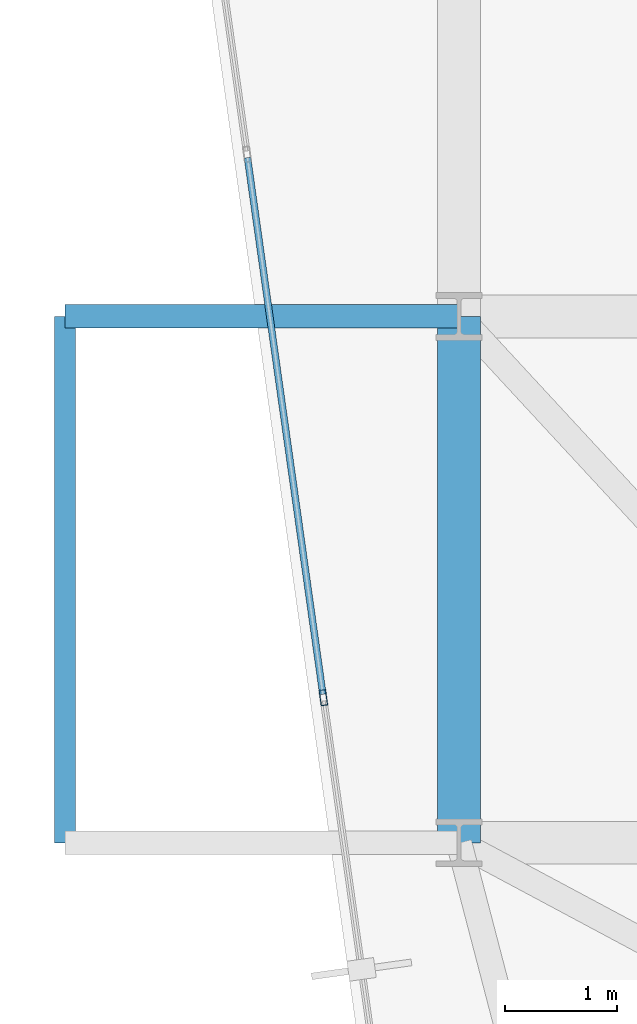
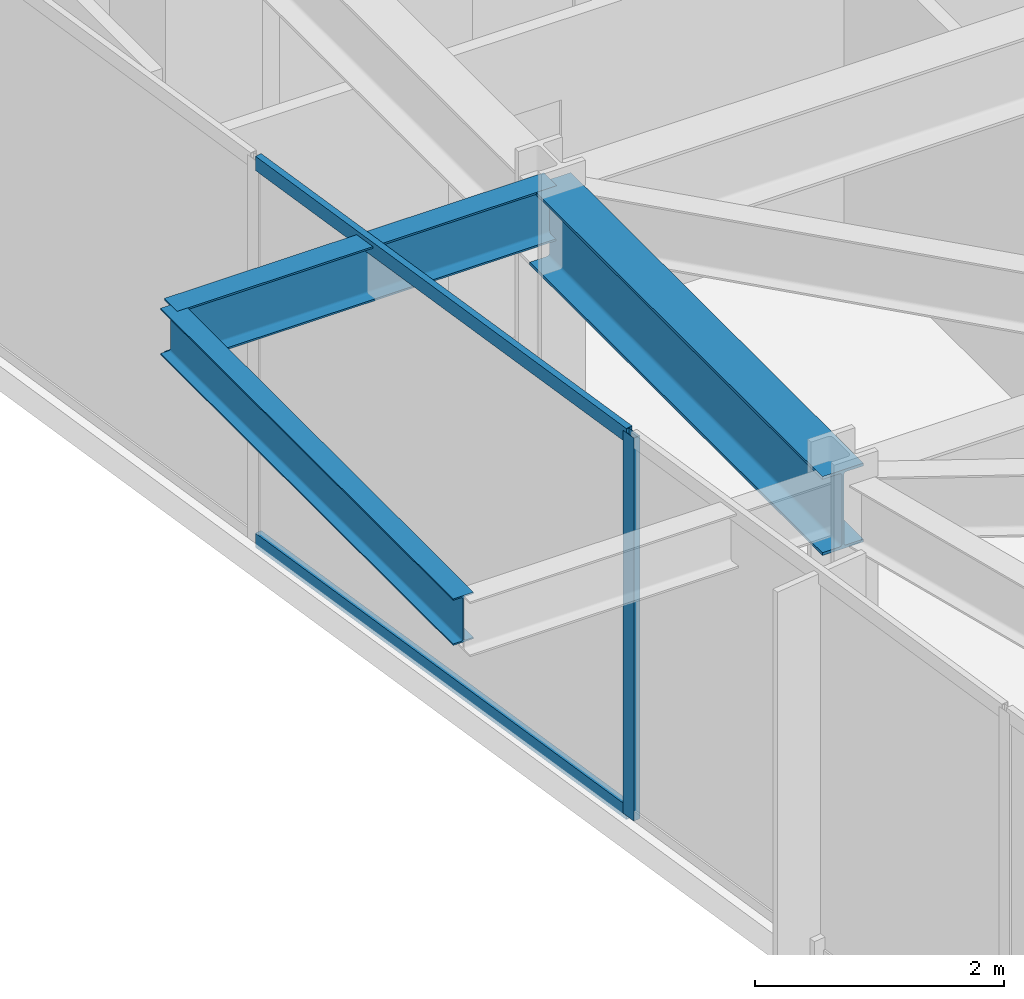
# One storey, part 9 of 27: 3 beams, 3 members, 1 element without a shape of its own.
"""IFC4 building model written with IfcOpenShell, lengths in metres."""

from ifc_helpers import new_model, si_unit, direction, frame, origin, origin_2d, place, context, subcontext, project, spatial, hollow_rectangle, i_section, extrude, material, layer, layer_set, material_profile, profile_set, type_object, element, aggregate, save


model = new_model("IFC4")

# Units and contexts
model_context = context("Model", 3, precision=1e-05, world=origin(), true_north=direction((0.0, 1.0)))
body_context = subcontext(model_context, "Body", "Model", "MODEL_VIEW")
ifc_project = project(units=[si_unit("LENGTHUNIT", "METRE"), si_unit("AREAUNIT", "SQUARE_METRE"), si_unit("VOLUMEUNIT", "CUBIC_METRE"), si_unit("PLANEANGLEUNIT", "RADIAN"), si_unit("MASSUNIT", "GRAM", prefix="KILO")], contexts=[model_context])

# Site, building, storey
site_placement = place(None, origin())
site = spatial("IfcSite", under=ifc_project, at=site_placement, CompositionType="ELEMENT")
building_placement = place(site_placement, origin())
building = spatial("IfcBuilding", under=site, at=building_placement, Name="Kravanh Interchange Tower", CompositionType="ELEMENT")
storey_placement = place(building_placement, frame((0.0, 0.0, 164.5)))
storey = spatial("IfcBuildingStorey", under=building, at=storey_placement, Name="L39", CompositionType="ELEMENT", Elevation=164.5)

# Curtain wall, members
ifc_material_1 = material(Name="Anodised Bronze Aluminium", Category="aluminium")
ifc_layer = layer(ifc_material_1, 0.179931640625)
ifc_layer_set = layer_set([ifc_layer], Name="Unitised Curtain Wall System CW-Z3 Upper Office")
curtain_wall_type = type_object("IfcCurtainWallType", Name="Unitised Curtain Wall System CW-Z3 Upper Office", PredefinedType="NOTDEFINED", material=ifc_layer_set)
curtain_wall_placement = place(storey_placement, origin())
curtain_wall = element("IfcCurtainWall", 1, at=curtain_wall_placement, inside=storey, type_object=curtain_wall_type, Name="L39 Unitised Curtain Wall CW-L39-01", PredefinedType="NOTDEFINED")
ifc_material_2 = material(Name="Anodised Bronze Aluminium", Category="aluminium")
ifc_material_profile_1 = material_profile(ifc_material_2, hollow_rectangle(XDim=0.06005859375, YDim=0.139892578125, WallThickness=0.00390625, at=origin_2d()), Name="ALU60X140X4")
ifc_profile_set_1 = profile_set([ifc_material_profile_1], Name="Anodised Bronze Aluminium")
member_type_1 = type_object("IfcMemberType", Name="Curtain Wall Mullion ALU60X140X4 Bronze", PredefinedType="MULLION", material=ifc_profile_set_1)
member_1_placement = place(storey_placement, frame((17.388671875, 28.09619140625, 0.0), z_axis=(0.0, 0.0, 1.0), x_axis=(-0.990268194035, -0.139172209446, 0.0)))
member_1 = element("IfcMember", 2, at=member_1_placement, type_object=member_type_1, Name="CW-Z3 mullion 4", PredefinedType="MULLION", context=body_context, shape_type="SweptSolid", body=[
    extrude(hollow_rectangle(XDim=0.06005859375, YDim=0.139892578125, WallThickness=0.00390625, at=origin_2d()), origin(), (0.0, 0.0, 1.0), 3.7548828125),
])
ifc_material_3 = material(Name="Anodised Bronze Aluminium", Category="aluminium")
ifc_material_profile_2 = material_profile(ifc_material_3, hollow_rectangle(XDim=0.06005859375, YDim=0.139892578125, WallThickness=0.00390625, at=origin_2d()), Name="ALU60X140X4")
ifc_profile_set_2 = profile_set([ifc_material_profile_2], Name="Anodised Bronze Aluminium")
member_type_2 = type_object("IfcMemberType", Name="Curtain Wall Transom ALU60X140X4 Bronze", PredefinedType="USERDEFINED", material=ifc_profile_set_2)
member_2_placement = place(storey_placement, frame((17.384521484375, 28.1259765625, 0.030029296875), z_axis=(-0.139182174391, 0.990266793512, 0.0), x_axis=(-0.990266793512, -0.139182174391, 0.0)))
member_2 = element("IfcMember", 3, at=member_2_placement, type_object=member_type_2, Name="CW-Z3 transom 4.1", ObjectType="TRANSOM", PredefinedType="USERDEFINED", context=body_context, shape_type="SweptSolid", body=[
    extrude(hollow_rectangle(XDim=0.06005859375, YDim=0.139892578125, WallThickness=0.00390625, at=origin_2d()), origin(), (0.0, 0.0, 1.0), 4.839599609375),
])
member_3_placement = place(storey_placement, frame((17.384521484375, 28.1259765625, 3.72509765625), z_axis=(-0.139182174391, 0.990266793512, 0.0), x_axis=(-0.990266793512, -0.139182174391, 0.0)))
member_3 = element("IfcMember", 4, at=member_3_placement, type_object=member_type_2, Name="CW-Z3 transom 4.2", ObjectType="TRANSOM", PredefinedType="USERDEFINED", context=body_context, shape_type="SweptSolid", body=[
    extrude(hollow_rectangle(XDim=0.06005859375, YDim=0.139892578125, WallThickness=0.00390625, at=origin_2d()), origin(), (0.0, 0.0, 1.0), 4.839599609375),
])
aggregate(curtain_wall, [member_1, member_2, member_3])

# Beams
ifc_material_4 = material(Name="Structural Steel S355", Category="steel")
ifc_material_profile_3 = material_profile(ifc_material_4, i_section(OverallWidth=0.381103515625, OverallDepth=0.77294921875, WebThickness=0.0166015625, FlangeThickness=0.027099609375, FilletRadius=0.02490234375, at=origin_2d()), Name="W30X173")
ifc_profile_set_3 = profile_set([ifc_material_profile_3], Name="Structural Steel S355")
beam_type_1 = type_object("IfcBeamType", Name="Floor Beam W30X173 Structural Steel S355", PredefinedType="BEAM", material=ifc_profile_set_3)
beam_1_placement = place(storey_placement, frame((18.60009765625, 26.800048828125, 3.368408203125), z_axis=(0.0, 1.0, 0.0), x_axis=(-1.0, 0.0, 0.0)))
element("IfcBeam", 5, at=beam_1_placement, inside=storey, type_object=beam_type_1, Name="L39 Primary Floor Girder 33", PredefinedType="BEAM", context=body_context, shape_type="SweptSolid", body=[
    extrude(i_section(OverallWidth=0.381103515625, OverallDepth=0.77294921875, WebThickness=0.0166015625, FlangeThickness=0.027099609375, FilletRadius=0.02490234375, at=origin_2d()), origin(), (0.0, 0.0, 1.0), 4.699951171875),
])
ifc_material_5 = material(Name="Structural Steel S355", Category="steel")
ifc_material_profile_4 = material_profile(ifc_material_5, i_section(OverallWidth=0.18994140625, OverallDepth=0.45703125, WebThickness=0.009033203125, FlangeThickness=0.014404296875, FilletRadius=0.01806640625, at=origin_2d()), Name="W18X50")
ifc_profile_set_4 = profile_set([ifc_material_profile_4], Name="Structural Steel S355")
beam_type_2 = type_object("IfcBeamType", Name="Floor Joist W18X50 Structural Steel S355", PredefinedType="JOIST", material=ifc_profile_set_4)
beam_2_placement = place(storey_placement, frame((15.0810546875, 26.800048828125, 3.526611328125), z_axis=(0.0, 1.0, 0.0), x_axis=(-1.0, 0.0, 0.0)))
element("IfcBeam", 6, at=beam_2_placement, inside=storey, type_object=beam_type_2, Name="L39 Balcony Edge Tie Beam W", PredefinedType="JOIST", context=body_context, shape_type="SweptSolid", body=[
    extrude(i_section(OverallWidth=0.18994140625, OverallDepth=0.45703125, WebThickness=0.009033203125, FlangeThickness=0.014404296875, FilletRadius=0.01806640625, at=origin_2d()), origin(), (0.0, 0.0, 1.0), 4.699951171875),
])
ifc_material_6 = material(Name="Structural Steel S355", Category="steel")
ifc_material_profile_5 = material_profile(ifc_material_6, i_section(OverallWidth=0.2099609375, OverallDepth=0.537109375, WebThickness=0.010986328125, FlangeThickness=0.017333984375, FilletRadius=0.02001953125, at=origin_2d()), Name="W21X68")
ifc_profile_set_5 = profile_set([ifc_material_profile_5], Name="Structural Steel S355")
beam_type_3 = type_object("IfcBeamType", Name="Floor Spandrel W21X68 Structural Steel S355", PredefinedType="SPANDREL", material=ifc_profile_set_5)
beam_3_placement = place(storey_placement, frame((18.60009765625, 31.5, 3.486572265625), z_axis=(-1.0, 0.0, 0.0), x_axis=(0.0, -1.0, 0.0)))
element("IfcBeam", 7, at=beam_3_placement, inside=storey, type_object=beam_type_3, Name="L39 Balcony Cantilever Outrigger W2", PredefinedType="SPANDREL", context=body_context, shape_type="SweptSolid", body=[
    extrude(i_section(OverallWidth=0.2099609375, OverallDepth=0.537109375, WebThickness=0.010986328125, FlangeThickness=0.017333984375, FilletRadius=0.02001953125, at=origin_2d()), origin(), (0.0, 0.0, 1.0), 3.51904296875),
])

save(model, "model.ifc")
